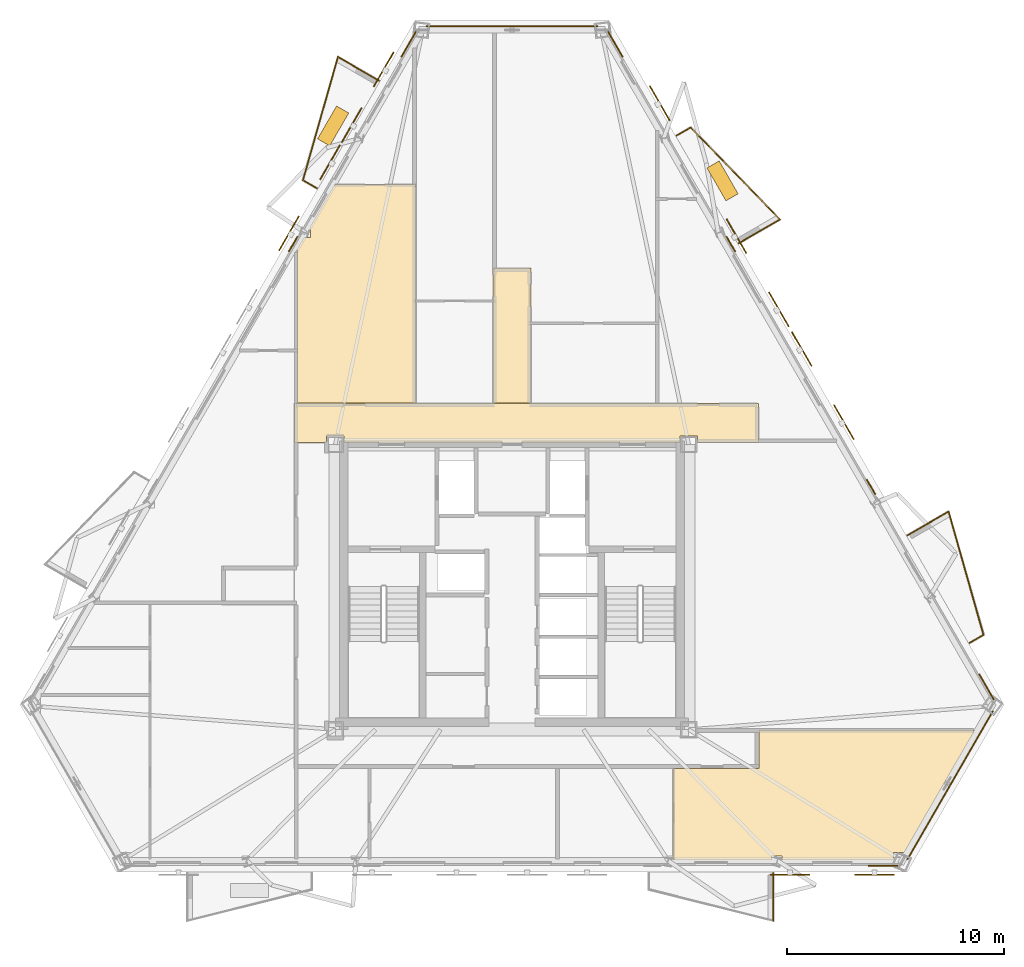
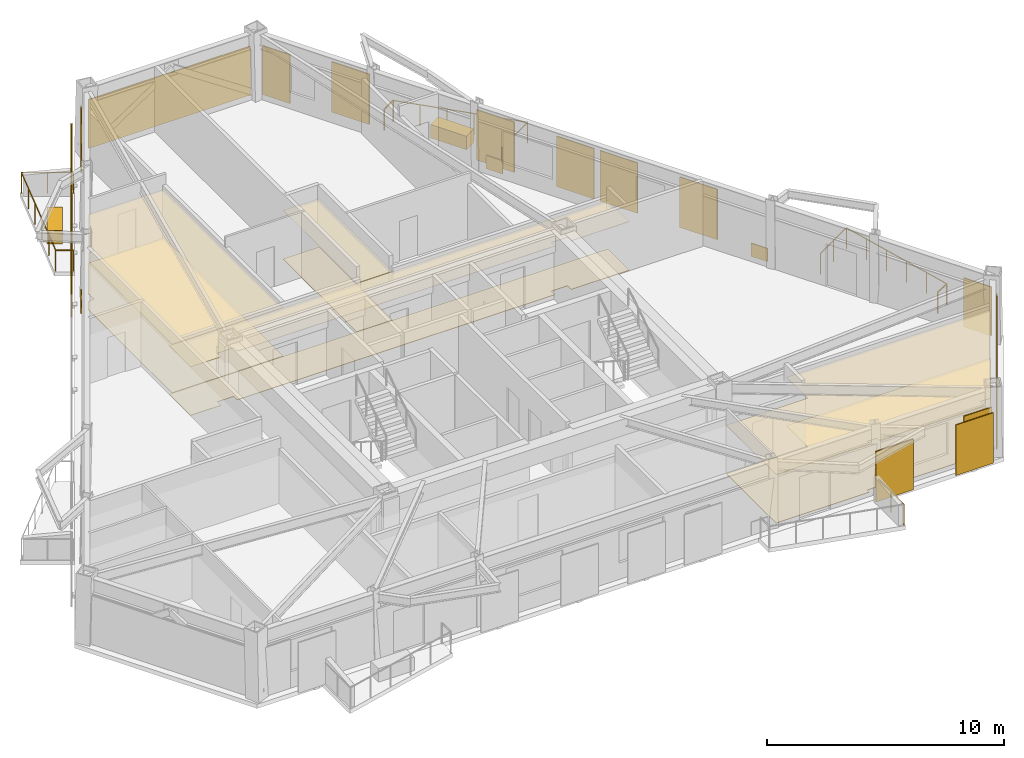
# One storey, part 9 of 9: 19 coverings, 11 shading devices, 10 railings.
"""IFC4 building model written with IfcOpenShell, lengths in metres."""

from ifc_helpers import new_model, si_unit, direction, frame, origin, origin_2d, place, context, subcontext, project, spatial, polyline, rectangle, circle, outline, extrude, material, layer, layer_set, type_object, element, save


model = new_model("IFC4")

# Units and contexts
model_context = context("Model", 3, precision=1e-05, world=origin(), true_north=direction((0.0, 1.0)))
body_context = subcontext(model_context, "Body", "Model", "MODEL_VIEW")
ifc_project = project(units=[si_unit("LENGTHUNIT", "METRE"), si_unit("AREAUNIT", "SQUARE_METRE"), si_unit("VOLUMEUNIT", "CUBIC_METRE"), si_unit("PLANEANGLEUNIT", "RADIAN"), si_unit("MASSUNIT", "GRAM", prefix="KILO")], contexts=[model_context])

# Site, building, storey
site_placement = place(None, origin())
site = spatial("IfcSite", under=ifc_project, at=site_placement, CompositionType="ELEMENT")
building_placement = place(site_placement, origin())
building = spatial("IfcBuilding", under=site, at=building_placement, Name="Oramaril Tower", CompositionType="ELEMENT")
storey_placement = place(building_placement, frame((0.0, 0.0, 174.60009765625)))
storey = spatial("IfcBuildingStorey", under=building, at=storey_placement, Name="L46", CompositionType="ELEMENT", Elevation=174.60009765625)

# Coverings
ifc_material_1 = material(Name="Mineral Fibre Acoustic Ceiling")
ifc_layer_1 = layer(ifc_material_1, 0.02001953125)
ifc_layer_set_1 = layer_set([ifc_layer_1], Name="CVT-CEIL")
covering_type_1 = type_object("IfcCoveringType", Name="CVT-CEIL", PredefinedType="CEILING", material=ifc_layer_set_1)
covering_1_placement = place(storey_placement, frame((0.0, 0.0, 2.511962890625)))
element("IfcCovering", 1, at=covering_1_placement, inside=storey, type_object=covering_type_1, Name="L46 Acoustic Suspended Ceiling 2", PredefinedType="CEILING", context=body_context, shape_type="SweptSolid", body=[
    extrude(outline(polyline([(48.8798828125, 24.239990234375), (46.044921875, 24.239990234375), (46.044921875, 24.544921875), (45.2548828125, 24.544921875), (45.2548828125, 24.25), (29.7451171875, 24.25), (29.7451171875, 24.544921875), (28.955078125, 24.544921875), (28.955078125, 24.239990234375), (27.469970703125, 24.239990234375), (27.469970703125, 26.050048828125), (48.8798828125, 26.050048828125), (48.8798828125, 24.239990234375)])), origin(), (0.0, 0.0, 1.0), 0.02001953125),
])
covering_2_placement = place(storey_placement, frame((0.0, 0.0, 2.511962890625)))
element("IfcCovering", 2, at=covering_2_placement, inside=storey, type_object=covering_type_1, Name="L46 Acoustic Suspended Ceiling 4", PredefinedType="CEILING", context=body_context, shape_type="SweptSolid", body=[
    extrude(outline(polyline([(38.3798828125, 26.070068359375), (36.6201171875, 26.070068359375), (36.6201171875, 32.280029296875), (38.3798828125, 32.280029296875), (38.3798828125, 26.070068359375)])), origin(), (0.0, 0.0, 1.0), 0.02001953125),
])
covering_3_placement = place(storey_placement, frame((0.0, 0.0, 2.511962890625)))
element("IfcCovering", 3, at=covering_3_placement, inside=storey, type_object=covering_type_1, Name="L46 Acoustic Suspended Ceiling 8", PredefinedType="CEILING", context=body_context, shape_type="SweptSolid", body=[
    extrude(outline(polyline([(55.595703125, 5.326904296875), (55.0947265625, 5.326904296875), (55.0947265625, 4.991943359375), (49.956787109375, 4.991943359375), (49.956787109375, 5.17626953125), (49.49658203125, 5.17626953125), (49.49658203125, 4.991943359375), (44.932373046875, 4.991943359375), (44.932373046875, 9.199951171875), (48.8798828125, 9.199951171875), (48.882080078125, 9.2001953125), (48.8837890625, 9.200439453125), (48.8857421875, 9.200927734375), (48.8876953125, 9.201416015625), (48.889404296875, 9.202392578125), (48.89111328125, 9.203369140625), (48.892578125, 9.20458984375), (48.89404296875, 9.205810546875), (48.8955078125, 9.207275390625), (48.896484375, 9.208984375), (48.897705078125, 9.210693359375), (48.8984375, 9.21240234375), (48.899169921875, 9.214111328125), (48.899658203125, 9.216064453125), (48.89990234375, 9.218017578125), (48.89990234375, 9.219970703125), (48.89990234375, 10.991943359375), (58.86669921875, 10.991943359375), (55.595703125, 5.326904296875)])), origin(), (0.0, 0.0, 1.0), 0.02001953125),
])
covering_4_placement = place(storey_placement, frame((0.0, 0.0, 2.511962890625)))
element("IfcCovering", 4, at=covering_4_placement, inside=storey, type_object=covering_type_1, Name="L46 Acoustic Suspended Ceiling 16", PredefinedType="CEILING", context=body_context, shape_type="SweptSolid", body=[
    extrude(outline(polyline([(28.204345703125, 33.68603515625), (28.204345703125, 34.150634765625), (28.1669921875, 34.150634765625), (29.314697265625, 36.138427734375), (33.0419921875, 36.138427734375), (33.0419921875, 26.070068359375), (27.612060546875, 26.070068359375), (27.612060546875, 28.5185546875), (27.61181640625, 28.5205078125), (27.611572265625, 28.5224609375), (27.611083984375, 28.5244140625), (27.610595703125, 28.5263671875), (27.609619140625, 28.528076171875), (27.609375, 28.528564453125), (27.609619140625, 28.529296875), (27.610595703125, 28.531005859375), (27.611083984375, 28.53271484375), (27.611572265625, 28.53466796875), (27.61181640625, 28.53662109375), (27.612060546875, 28.53857421875), (27.612060546875, 33.15478515625), (27.61181640625, 33.15673828125), (27.611572265625, 33.15869140625), (27.611083984375, 33.160400390625), (27.610595703125, 33.162353515625), (27.609619140625, 33.1640625), (27.608642578125, 33.165771484375), (27.607666015625, 33.167236328125), (27.606201171875, 33.168701171875), (27.60498046875, 33.170166015625), (27.603271484375, 33.17138671875), (27.60205078125, 33.172119140625), (27.898681640625, 33.68603515625), (28.204345703125, 33.68603515625)])), origin(), (0.0, 0.0, 1.0), 0.02001953125),
])
ifc_material_2 = material(Name="Warm Cream Limestone", Category="masonry")
ifc_layer_2 = layer(ifc_material_2, 0.050048828125)
ifc_layer_set_2 = layer_set([ifc_layer_2], Name="CVT-CLD")
covering_type_2 = type_object("IfcCoveringType", Name="CVT-CLD", PredefinedType="CLADDING", material=ifc_layer_set_2)
covering_5_placement = place(storey_placement, frame((54.61474609375, 4.716064453125, 0.039794921875), z_axis=(0.0, 0.0, 1.0), x_axis=(1.0, 0.0, 0.0)))
element("IfcCovering", 5, at=covering_5_placement, inside=storey, type_object=covering_type_2, Name="L46 Warm Cream Limestone Cladding", PredefinedType="CLADDING", context=body_context, shape_type="SweptSolid", body=[
    extrude(rectangle(XDim=1.35009765625, YDim=0.050048828125, at=origin_2d()), origin(), (0.0, 0.0, 1.0), 2.52001953125),
])
covering_6_placement = place(storey_placement, frame((57.707763671875, 8.43310546875, 0.039794921875), z_axis=(0.0, 0.0, 1.0), x_axis=(0.499996976998, 0.866027149108, 0.0)))
element("IfcCovering", 6, at=covering_6_placement, inside=storey, type_object=covering_type_2, Name="L46 Warm Cream Limestone Cladding", PredefinedType="CLADDING", context=body_context, shape_type="SweptSolid", body=[
    extrude(rectangle(XDim=7.889892578125, YDim=0.050048828125, at=origin_2d()), origin(), (0.0, 0.0, 1.0), 2.52001953125),
])
for number, where, z_axis, x_axis, name in (
    (7, (59.38037109375, 12.97021484375, 0.039794921875), (0.0, 0.0, 1.0), (-0.5, 0.866025403784, 0.0), "L46 Warm Cream Limestone Cladding"),
    (8, (42.265380859375, 42.614013671875, 0.039794921875), (0.0, 0.0, 1.0), (-0.5, 0.866025403784, 0.0), "L46 Warm Cream Limestone Cladding"),
):
    element("IfcCovering", number, at=place(storey_placement, frame(where, z_axis=z_axis, x_axis=x_axis)), inside=storey, type_object=covering_type_2, Name=name, PredefinedType="CLADDING", context=body_context, shape_type="SweptSolid", body=[
        extrude(rectangle(XDim=1.35009765625, YDim=0.050048828125, at=origin_2d()), origin(), (0.0, 0.0, 1.0), 2.52001953125),
    ])
for number, where, z_axis, x_axis, name in (
    (9, (54.056640625, 22.191162109375, 0.0400390625), (0.0, 0.0, 1.0), (-0.5, 0.866025403784, 0.0), "L46 Warm Cream Limestone Spandrel Cladding"),
    (10, (47.589111328125, 33.392822265625, 0.0400390625), (0.0, 0.0, 1.0), (-0.5, 0.866025403784, 0.0), "L46 Warm Cream Limestone Spandrel Cladding"),
):
    element("IfcCovering", number, at=place(storey_placement, frame(where, z_axis=z_axis, x_axis=x_axis)), inside=storey, type_object=covering_type_2, Name=name, PredefinedType="CLADDING", context=body_context, shape_type="SweptSolid", body=[
        extrude(rectangle(XDim=0.800048828125, YDim=0.050048828125, at=origin_2d()), origin(), (0.0, 0.0, 1.0), 0.679931640625),
    ])
covering_7_placement = place(storey_placement, frame((37.5, 43.43408203125, 0.039794921875), z_axis=(0.0, 0.0, 1.0), x_axis=(-1.0, 0.0, 0.0)))
element("IfcCovering", 11, at=covering_7_placement, inside=storey, type_object=covering_type_2, Name="L46 Warm Cream Limestone Cladding", PredefinedType="CLADDING", context=body_context, shape_type="SweptSolid", body=[
    extrude(rectangle(XDim=7.889892578125, YDim=0.050048828125, at=origin_2d()), origin(), (0.0, 0.0, 1.0), 2.52001953125),
])
covering_8_placement = place(storey_placement, frame((32.734619140625, 42.614013671875, 0.039794921875), z_axis=(0.0, 0.0, 1.0), x_axis=(-0.5, -0.866025403784, 0.0)))
element("IfcCovering", 12, at=covering_8_placement, inside=storey, type_object=covering_type_2, Name="L46 Warm Cream Limestone Cladding", PredefinedType="CLADDING", context=body_context, shape_type="SweptSolid", body=[
    extrude(rectangle(XDim=1.35009765625, YDim=0.050048828125, at=origin_2d()), origin(), (0.0, 0.0, 1.0), 2.52001953125),
])
covering_9_placement = place(storey_placement, frame((27.410888671875, 33.392822265625, 0.0400390625), z_axis=(0.0, 0.0, 1.0), x_axis=(-0.5, -0.866025403784, 0.0)))
element("IfcCovering", 13, at=covering_9_placement, inside=storey, type_object=covering_type_2, Name="L46 Warm Cream Limestone Spandrel Cladding", PredefinedType="CLADDING", context=body_context, shape_type="SweptSolid", body=[
    extrude(rectangle(XDim=0.800048828125, YDim=0.050048828125, at=origin_2d()), origin(), (0.0, 0.0, 1.0), 0.679931640625),
])
for number, where, z_axis, x_axis, name in (
    (14, (47.210205078125, 36.306640625, 0.0), (0.0, 0.0, 1.0), (-0.5, 0.866025403784, 0.0), "L46 Structural Tree Planter Box L46-BAL-NE2"),
    (15, (29.25244140625, 38.83984375, 0.0), (0.0, 0.0, 1.0), (-0.5, -0.866025403784, 0.0), "L46 Structural Tree Planter Box L46-BAL-NW1"),
):
    element("IfcCovering", number, at=place(storey_placement, frame(where, z_axis=z_axis, x_axis=x_axis)), inside=storey, type_object=covering_type_2, Name=name, PredefinedType="CLADDING", context=body_context, shape_type="SweptSolid", body=[
        extrude(rectangle(XDim=1.75, YDim=0.64990234375, at=origin_2d()), origin(), (0.0, 0.0, 1.0), 0.699951171875),
    ])
ifc_material_3 = material(Name="Honed Quartzite Stone Flooring", Category="masonry")
ifc_layer_3 = layer(ifc_material_3, 0.02490234375)
ifc_layer_set_3 = layer_set([ifc_layer_3], Name="CVT-FLR")
covering_type_3 = type_object("IfcCoveringType", Name="CVT-FLR", PredefinedType="FLOORING", material=ifc_layer_set_3)
covering_10_placement = place(storey_placement, origin())
element("IfcCovering", 16, at=covering_10_placement, inside=storey, type_object=covering_type_3, Name="L46 Honed Stone Floor Finish 2", PredefinedType="FLOORING", context=body_context, shape_type="SweptSolid", body=[
    extrude(outline(polyline([(48.8798828125, 24.239990234375), (46.044921875, 24.239990234375), (46.044921875, 24.544921875), (45.2548828125, 24.544921875), (45.2548828125, 24.25), (29.7451171875, 24.25), (29.7451171875, 24.544921875), (28.955078125, 24.544921875), (28.955078125, 24.239990234375), (27.469970703125, 24.239990234375), (27.469970703125, 26.050048828125), (48.8798828125, 26.050048828125), (48.8798828125, 24.239990234375)])), origin(), (0.0, 0.0, 1.0), 0.02490234375),
])
covering_11_placement = place(storey_placement, origin())
element("IfcCovering", 17, at=covering_11_placement, inside=storey, type_object=covering_type_3, Name="L46 Honed Stone Floor Finish 4", PredefinedType="FLOORING", context=body_context, shape_type="SweptSolid", body=[
    extrude(outline(polyline([(38.3798828125, 26.070068359375), (36.6201171875, 26.070068359375), (36.6201171875, 32.280029296875), (38.3798828125, 32.280029296875), (38.3798828125, 26.070068359375)])), origin(), (0.0, 0.0, 1.0), 0.02490234375),
])
covering_12_placement = place(storey_placement, origin())
element("IfcCovering", 18, at=covering_12_placement, inside=storey, type_object=covering_type_3, Name="L46 Honed Stone Floor Finish 8", PredefinedType="FLOORING", context=body_context, shape_type="SweptSolid", body=[
    extrude(outline(polyline([(55.595703125, 5.326904296875), (55.0947265625, 5.326904296875), (55.0947265625, 4.991943359375), (49.956787109375, 4.991943359375), (49.956787109375, 5.17626953125), (49.49658203125, 5.17626953125), (49.49658203125, 4.991943359375), (44.932373046875, 4.991943359375), (44.932373046875, 9.199951171875), (48.8798828125, 9.199951171875), (48.882080078125, 9.2001953125), (48.8837890625, 9.200439453125), (48.8857421875, 9.200927734375), (48.8876953125, 9.201416015625), (48.889404296875, 9.202392578125), (48.89111328125, 9.203369140625), (48.892578125, 9.20458984375), (48.89404296875, 9.205810546875), (48.8955078125, 9.207275390625), (48.896484375, 9.208984375), (48.897705078125, 9.210693359375), (48.8984375, 9.21240234375), (48.899169921875, 9.214111328125), (48.899658203125, 9.216064453125), (48.89990234375, 9.218017578125), (48.89990234375, 9.219970703125), (48.89990234375, 10.991943359375), (58.86669921875, 10.991943359375), (55.595703125, 5.326904296875)])), origin(), (0.0, 0.0, 1.0), 0.02490234375),
])
covering_13_placement = place(storey_placement, origin())
element("IfcCovering", 19, at=covering_13_placement, inside=storey, type_object=covering_type_3, Name="L46 Honed Stone Floor Finish 16", PredefinedType="FLOORING", context=body_context, shape_type="SweptSolid", body=[
    extrude(outline(polyline([(28.204345703125, 33.68603515625), (28.204345703125, 34.150634765625), (28.1669921875, 34.150634765625), (29.314697265625, 36.138427734375), (33.0419921875, 36.138427734375), (33.0419921875, 26.070068359375), (27.612060546875, 26.070068359375), (27.612060546875, 28.5185546875), (27.61181640625, 28.5205078125), (27.611572265625, 28.5224609375), (27.611083984375, 28.5244140625), (27.610595703125, 28.5263671875), (27.609619140625, 28.528076171875), (27.609375, 28.528564453125), (27.609619140625, 28.529296875), (27.610595703125, 28.531005859375), (27.611083984375, 28.53271484375), (27.611572265625, 28.53466796875), (27.61181640625, 28.53662109375), (27.612060546875, 28.53857421875), (27.612060546875, 33.15478515625), (27.61181640625, 33.15673828125), (27.611572265625, 33.15869140625), (27.611083984375, 33.160400390625), (27.610595703125, 33.162353515625), (27.609619140625, 33.1640625), (27.608642578125, 33.165771484375), (27.607666015625, 33.167236328125), (27.606201171875, 33.168701171875), (27.60498046875, 33.170166015625), (27.603271484375, 33.17138671875), (27.60205078125, 33.172119140625), (27.898681640625, 33.68603515625), (28.204345703125, 33.68603515625)])), origin(), (0.0, 0.0, 1.0), 0.02490234375),
])

# Railings
ifc_material_4 = material(Name="Stainless Steel 316L", Category="steel")
railing_type = type_object("IfcRailingType", Name="RLT-GRD", PredefinedType="GUARDRAIL", material=ifc_material_4)
railing_1_placement = place(storey_placement, frame((49.54541015625, 4.3759765625, 0.0)))
element("IfcRailing", 20, at=railing_1_placement, inside=storey, type_object=railing_type, Name="L46 Balcony Guardrail L46-BAL-S2.1", PredefinedType="GUARDRAIL", context=body_context, shape_type="SweptSolid", body=[
    extrude(circle(Radius=0.02392578125, at=origin_2d()), frame((0.0, 0.0, 1.076171875), z_axis=(0.0, -1.0, 0.0), x_axis=(1.0, 0.0, 0.0)), (0.0, 0.0, 1.0), 2.19189453125),
    extrude(circle(Radius=0.02099609375, at=origin_2d()), origin(), (0.0, 0.0, 1.0), 1.052001953125),
    extrude(circle(Radius=0.02099609375, at=origin_2d()), frame((0.0, -1.095947265625, 0.0)), (0.0, 0.0, 1.0), 1.052001953125),
    extrude(circle(Radius=0.02099609375, at=origin_2d()), frame((0.0, -2.19189453125, 0.0)), (0.0, 0.0, 1.0), 1.052001953125),
])
railing_2_placement = place(storey_placement, frame((55.737548828125, 19.95947265625, 0.0)))
element("IfcRailing", 21, at=railing_2_placement, inside=storey, type_object=railing_type, Name="L46 Balcony Guardrail L46-BAL-NE1.1", PredefinedType="GUARDRAIL", context=body_context, shape_type="SweptSolid", body=[
    extrude(circle(Radius=0.02392578125, at=origin_2d()), frame((0.0, 0.0, 1.076171875), z_axis=(0.866048343933, 0.499960264392, 0.0), x_axis=(-0.499960264392, 0.866048343933, 0.0)), (0.0, 0.0, 1.0), 2.192138671875),
    extrude(circle(Radius=0.02099609375, at=origin_2d()), origin(), (0.0, 0.0, 1.0), 1.052001953125),
    extrude(circle(Radius=0.02099609375, at=origin_2d()), frame((0.94921875, 0.5478515625, 0.0)), (0.0, 0.0, 1.0), 1.052001953125),
    extrude(circle(Radius=0.02099609375, at=origin_2d()), frame((1.8984375, 1.095947265625, 0.0)), (0.0, 0.0, 1.0), 1.052001953125),
])
railing_3_placement = place(storey_placement, frame((57.635986328125, 21.055419921875, 0.0)))
element("IfcRailing", 22, at=railing_3_placement, inside=storey, type_object=railing_type, Name="L46 Balcony Guardrail L46-BAL-NE1.2", PredefinedType="GUARDRAIL", context=body_context, shape_type="SweptSolid", body=[
    extrude(circle(Radius=0.02392578125, at=origin_2d()), frame((0.0, 0.0, 1.076171875), z_axis=(0.272259686627, -0.962223811303, 0.0), x_axis=(0.962223811303, 0.272259686627, 0.0)), (0.0, 0.0, 1.0), 5.910400390625),
    extrude(circle(Radius=0.02099609375, at=origin_2d()), origin(), (0.0, 0.0, 1.0), 1.052001953125),
    extrude(circle(Radius=0.02099609375, at=origin_2d()), frame((0.32177734375, -1.137451171875, 0.0)), (0.0, 0.0, 1.0), 1.052001953125),
    extrude(circle(Radius=0.02099609375, at=origin_2d()), frame((0.6435546875, -2.27490234375, 0.0)), (0.0, 0.0, 1.0), 1.052001953125),
    extrude(circle(Radius=0.02099609375, at=origin_2d()), frame((0.965576171875, -3.412109375, 0.0)), (0.0, 0.0, 1.0), 1.052001953125),
    extrude(circle(Radius=0.02099609375, at=origin_2d()), frame((1.287353515625, -4.549560546875, 0.0)), (0.0, 0.0, 1.0), 1.052001953125),
    extrude(circle(Radius=0.02099609375, at=origin_2d()), frame((1.609130859375, -5.68701171875, 0.0)), (0.0, 0.0, 1.0), 1.052001953125),
])
railing_4_placement = place(storey_placement, frame((59.2451171875, 15.368408203125, 0.0)))
element("IfcRailing", 23, at=railing_4_placement, inside=storey, type_object=railing_type, Name="L46 Balcony Guardrail L46-BAL-NE1.3", PredefinedType="GUARDRAIL", context=body_context, shape_type="SweptSolid", body=[
    extrude(circle(Radius=0.02392578125, at=origin_2d()), frame((0.0, 0.0, 1.076171875), z_axis=(-0.865966403178, -0.500102178127, 0.0), x_axis=(0.500102178127, -0.865966403178, 0.0)), (0.0, 0.0, 1.0), 0.741943359375),
    extrude(circle(Radius=0.02099609375, at=origin_2d()), origin(), (0.0, 0.0, 1.0), 1.052001953125),
    extrude(circle(Radius=0.02099609375, at=origin_2d()), frame((-0.642578125, -0.37109375, 0.0)), (0.0, 0.0, 1.0), 1.052001953125),
])
railing_5_placement = place(storey_placement, frame((45.0947265625, 38.3935546875, 0.0)))
element("IfcRailing", 24, at=railing_5_placement, inside=storey, type_object=railing_type, Name="L46 Balcony Guardrail L46-BAL-NE2.1", PredefinedType="GUARDRAIL", context=body_context, shape_type="SweptSolid", body=[
    extrude(circle(Radius=0.02392578125, at=origin_2d()), frame((0.0, 0.0, 1.076171875), z_axis=(0.865966403178, 0.500102178127, 0.0), x_axis=(-0.500102178127, 0.865966403178, 0.0)), (0.0, 0.0, 1.0), 0.741943359375),
    extrude(circle(Radius=0.02099609375, at=origin_2d()), origin(), (0.0, 0.0, 1.0), 1.052001953125),
    extrude(circle(Radius=0.02099609375, at=origin_2d()), frame((0.642578125, 0.37109375, 0.0)), (0.0, 0.0, 1.0), 1.052001953125),
])
railing_6_placement = place(storey_placement, frame((45.7373046875, 38.7646484375, 0.0)))
element("IfcRailing", 25, at=railing_6_placement, inside=storey, type_object=railing_type, Name="L46 Balcony Guardrail L46-BAL-NE2.2", PredefinedType="GUARDRAIL", context=body_context, shape_type="SweptSolid", body=[
    extrude(circle(Radius=0.02392578125, at=origin_2d()), frame((0.0, 0.0, 1.076171875), z_axis=(0.697165686546, -0.716910040034, 0.0), x_axis=(0.716910040034, 0.697165686546, 0.0)), (0.0, 0.0, 1.0), 5.910400390625),
    extrude(circle(Radius=0.02099609375, at=origin_2d()), origin(), (0.0, 0.0, 1.0), 1.052001953125),
    extrude(circle(Radius=0.02099609375, at=origin_2d()), frame((0.82421875, -0.847412109375, 0.0)), (0.0, 0.0, 1.0), 1.052001953125),
    extrude(circle(Radius=0.02099609375, at=origin_2d()), frame((1.648193359375, -1.69482421875, 0.0)), (0.0, 0.0, 1.0), 1.052001953125),
    extrude(circle(Radius=0.02099609375, at=origin_2d()), frame((2.472412109375, -2.54248046875, 0.0)), (0.0, 0.0, 1.0), 1.052001953125),
    extrude(circle(Radius=0.02099609375, at=origin_2d()), frame((3.29638671875, -3.389892578125, 0.0)), (0.0, 0.0, 1.0), 1.052001953125),
    extrude(circle(Radius=0.02099609375, at=origin_2d()), frame((4.12060546875, -4.2373046875, 0.0)), (0.0, 0.0, 1.0), 1.052001953125),
])
railing_7_placement = place(storey_placement, frame((49.85791015625, 34.52734375, 0.0)))
element("IfcRailing", 26, at=railing_7_placement, inside=storey, type_object=railing_type, Name="L46 Balcony Guardrail L46-BAL-NE2.3", PredefinedType="GUARDRAIL", context=body_context, shape_type="SweptSolid", body=[
    extrude(circle(Radius=0.02392578125, at=origin_2d()), frame((0.0, 0.0, 1.076171875), z_axis=(-0.866020500697, -0.5000084923, 0.0), x_axis=(0.5000084923, -0.866020500697, 0.0)), (0.0, 0.0, 1.0), 2.19189453125),
    extrude(circle(Radius=0.02099609375, at=origin_2d()), origin(), (0.0, 0.0, 1.0), 1.052001953125),
    extrude(circle(Radius=0.02099609375, at=origin_2d()), frame((-0.94921875, -0.5478515625, 0.0)), (0.0, 0.0, 1.0), 1.052001953125),
    extrude(circle(Radius=0.02099609375, at=origin_2d()), frame((-1.898193359375, -1.095947265625, 0.0)), (0.0, 0.0, 1.0), 1.052001953125),
])
railing_8_placement = place(storey_placement, frame((28.502685546875, 35.964599609375, 0.0)))
element("IfcRailing", 27, at=railing_8_placement, inside=storey, type_object=railing_type, Name="L46 Balcony Guardrail L46-BAL-NW1.1", PredefinedType="GUARDRAIL", context=body_context, shape_type="SweptSolid", body=[
    extrude(circle(Radius=0.02392578125, at=origin_2d()), frame((0.0, 0.0, 1.076171875), z_axis=(-0.866026623601, 0.49999788721, 0.0), x_axis=(-0.49999788721, -0.866026623601, 0.0)), (0.0, 0.0, 1.0), 0.74169921875),
    extrude(circle(Radius=0.02099609375, at=origin_2d()), origin(), (0.0, 0.0, 1.0), 1.052001953125),
    extrude(circle(Radius=0.02099609375, at=origin_2d()), frame((-0.642333984375, 0.370849609375, 0.0)), (0.0, 0.0, 1.0), 1.052001953125),
])
railing_9_placement = place(storey_placement, frame((27.8603515625, 36.33544921875, 0.0)))
element("IfcRailing", 28, at=railing_9_placement, inside=storey, type_object=railing_type, Name="L46 Balcony Guardrail L46-BAL-NW1.2", PredefinedType="GUARDRAIL", context=body_context, shape_type="SweptSolid", body=[
    extrude(circle(Radius=0.02392578125, at=origin_2d()), frame((0.0, 0.0, 1.076171875), z_axis=(0.27224886544, 0.962226873074, 0.0), x_axis=(-0.962226873074, 0.27224886544, 0.0)), (0.0, 0.0, 1.0), 5.910400390625),
    extrude(circle(Radius=0.02099609375, at=origin_2d()), origin(), (0.0, 0.0, 1.0), 1.052001953125),
    extrude(circle(Radius=0.02099609375, at=origin_2d()), frame((0.32177734375, 1.137451171875, 0.0)), (0.0, 0.0, 1.0), 1.052001953125),
    extrude(circle(Radius=0.02099609375, at=origin_2d()), frame((0.6435546875, 2.27490234375, 0.0)), (0.0, 0.0, 1.0), 1.052001953125),
    extrude(circle(Radius=0.02099609375, at=origin_2d()), frame((0.965576171875, 3.412353515625, 0.0)), (0.0, 0.0, 1.0), 1.052001953125),
    extrude(circle(Radius=0.02099609375, at=origin_2d()), frame((1.287353515625, 4.5498046875, 0.0)), (0.0, 0.0, 1.0), 1.052001953125),
    extrude(circle(Radius=0.02099609375, at=origin_2d()), frame((1.609130859375, 5.687255859375, 0.0)), (0.0, 0.0, 1.0), 1.052001953125),
])
railing_10_placement = place(storey_placement, frame((29.469482421875, 42.022705078125, 0.0)))
element("IfcRailing", 29, at=railing_10_placement, inside=storey, type_object=railing_type, Name="L46 Balcony Guardrail L46-BAL-NW1.3", PredefinedType="GUARDRAIL", context=body_context, shape_type="SweptSolid", body=[
    extrude(circle(Radius=0.02392578125, at=origin_2d()), frame((0.0, 0.0, 1.076171875), z_axis=(0.866048343933, -0.499960264392, 0.0), x_axis=(0.499960264392, 0.866048343933, 0.0)), (0.0, 0.0, 1.0), 2.192138671875),
    extrude(circle(Radius=0.02099609375, at=origin_2d()), origin(), (0.0, 0.0, 1.0), 1.052001953125),
    extrude(circle(Radius=0.02099609375, at=origin_2d()), frame((0.94921875, -0.5478515625, 0.0)), (0.0, 0.0, 1.0), 1.052001953125),
    extrude(circle(Radius=0.02099609375, at=origin_2d()), frame((1.8984375, -1.095947265625, 0.0)), (0.0, 0.0, 1.0), 1.052001953125),
])

# Shading devices
for number, where, z_axis, x_axis, name in (
    (30, (50.316650390625, 4.303955078125, -0.020263671875), (0.0, 0.0, 1.0), (1.0, 0.0, 0.0), "L46 Perforated Ceramic Solar Screen"),
    (31, (54.216552734375, 4.303955078125, -0.020263671875), (0.0, 0.0, 1.0), (1.0, 0.0, 0.0), "L46 Perforated Ceramic Solar Screen"),
    (32, (44.31396484375, 39.8896484375, -0.020263671875), (0.0, 0.0, 1.0), (-0.5, 0.866025403784, 0.0), "L46 Perforated Ceramic Solar Screen"),
    (33, (52.808349609375, 25.17724609375, -0.020263671875), (0.0, 0.0, 1.0), (-0.5, 0.866025403784, 0.0), "L46 Perforated Ceramic Solar Screen"),
    (34, (50.8583984375, 28.5546875, -0.020263671875), (0.0, 0.0, 1.0), (-0.5, 0.866025403784, 0.0), "L46 Perforated Ceramic Solar Screen"),
    (35, (49.8037109375, 30.381591796875, -0.020263671875), (0.0, 0.0, 1.0), (-0.5, 0.866025403784, 0.0), "L46 Perforated Ceramic Solar Screen"),
    (36, (47.853515625, 33.759033203125, -0.020263671875), (0.0, 0.0, 1.0), (-0.5, 0.866025403784, 0.0), "L46 Perforated Ceramic Solar Screen"),
    (37, (27.21826171875, 33.883544921875, -0.020263671875), (0.0, 0.0, 1.0), (-0.5, -0.866025403784, 0.0), "L46 Perforated Ceramic Solar Screen"),
    (38, (29.110107421875, 37.16015625, -0.020263671875), (0.0, 0.0, 1.0), (-0.5, -0.866025403784, 0.0), "L46 Perforated Ceramic Solar Screen"),
    (39, (30.103515625, 38.880615234375, -0.020263671875), (0.0, 0.0, 1.0), (-0.5, -0.866025403784, 0.0), "L46 Perforated Ceramic Solar Screen"),
    (40, (31.584228515625, 41.4453125, -0.020263671875), (0.0, 0.0, 1.0), (-0.5, -0.866025403784, 0.0), "L46 Perforated Ceramic Solar Screen"),
):
    element("IfcShadingDevice", number, at=place(storey_placement, frame(where, z_axis=z_axis, x_axis=x_axis)), inside=storey, Name=name, ObjectType="SCREEN", PredefinedType="USERDEFINED", context=body_context, shape_type="SweptSolid", body=[
        extrude(rectangle(XDim=1.8330078125, YDim=0.050048828125, at=origin_2d()), origin(), (0.0, 0.0, 1.0), 2.60009765625),
    ])

save(model, "model.ifc")
